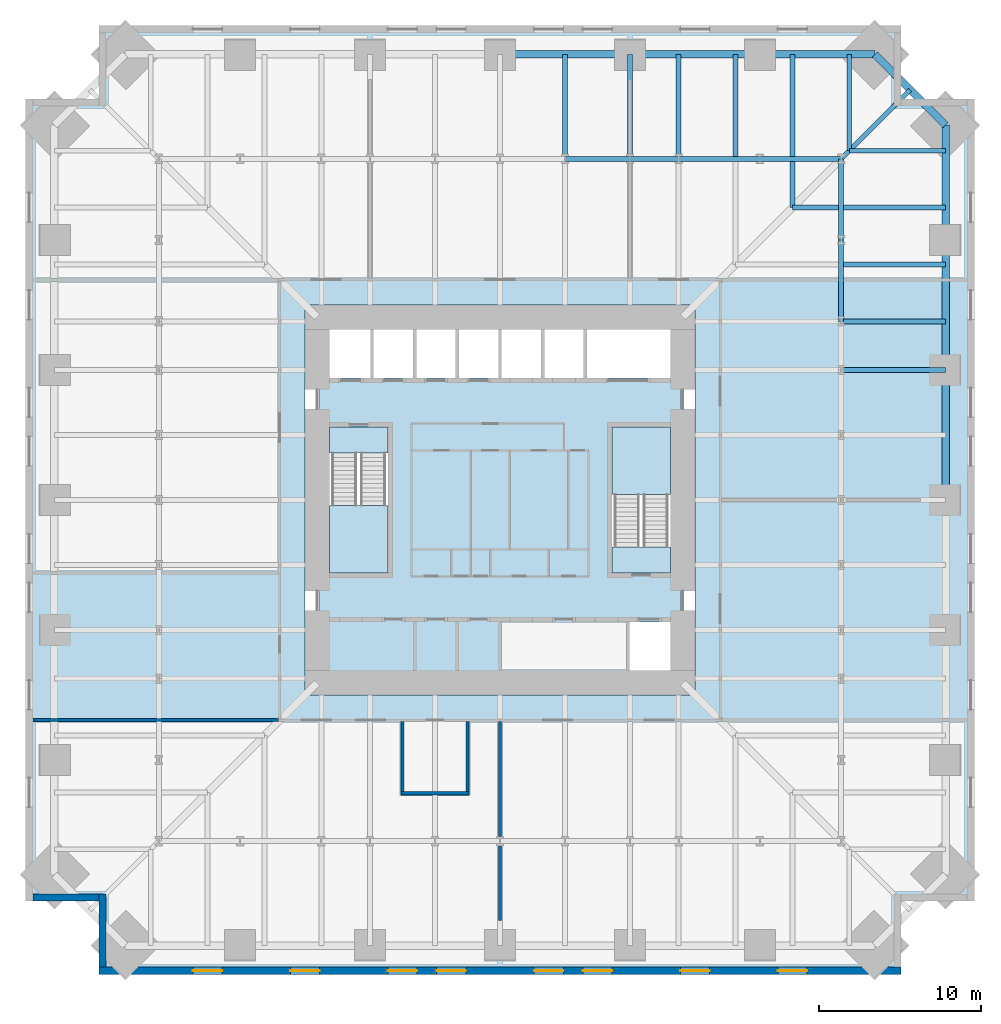
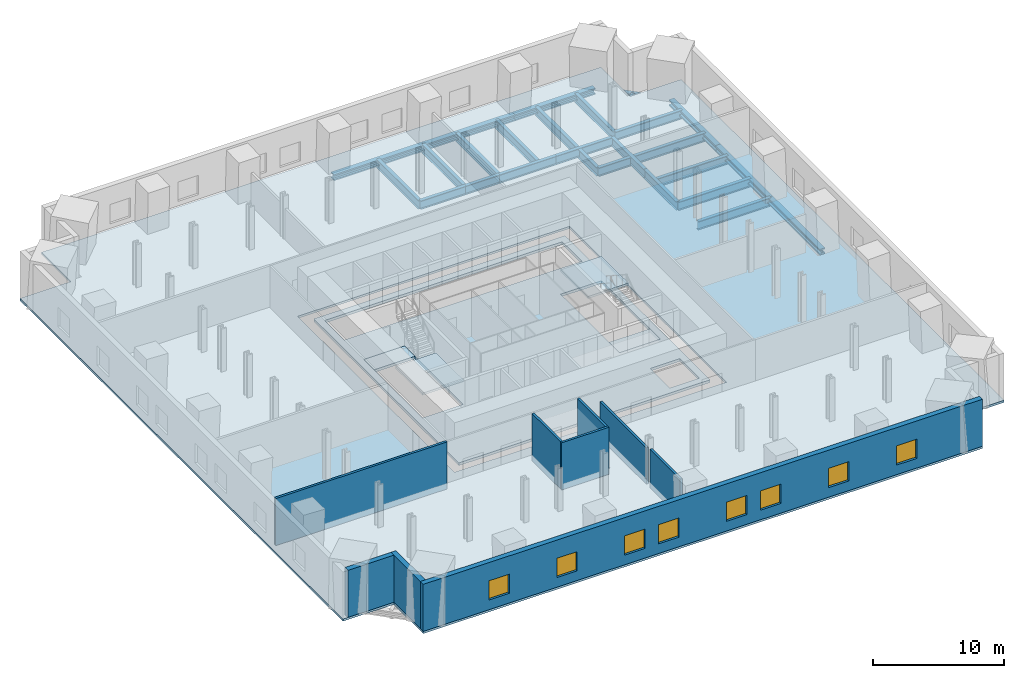
# One storey, part 3 of 8: 21 beams, 9 walls, 8 windows, 6 members, 6 slabs, 8 openings, 2 elements without a shape of their own.
"""IFC4 building model written with IfcOpenShell, lengths in metres."""

import ifcopenshell
import ifcopenshell.guid

model = None  # the IFC model being written
_history = None  # IfcOwnerHistory: only IFC2X3 demands one
_inside = {}  # id of a spatial element -> (the spatial element, [elements in it])
_under = {}  # id of a project, library or spatial element -> (it, [spatial elements below it])
_declared = {}  # id of a project -> (the project, [libraries it declares])
_typed = {}  # id of a type object -> (the type object, [elements of that type])
_made_of = {}  # id of a material, layer set ... -> (it, [elements and type objects made of it])


def new_model(schema):
    """Start an empty IFC model of exactly this schema.

    Asked for "IFC4X3", IfcOpenShell would pick the latest addendum, in which some entities
    have other attributes; the version numbers below select the first issue.
    IFC2X3 requires an IfcOwnerHistory on every rooted entity: one is made here for all.
    """
    global model, _history
    if schema == "IFC4X3":
        model = ifcopenshell.file(schema_version=(4, 3, 0, 0))
    else:
        model = ifcopenshell.file(schema=schema)
    _inside.clear()
    _under.clear()
    _declared.clear()
    _typed.clear()
    _made_of.clear()
    _history = None
    if model.schema == "IFC2X3":
        org = make("IfcOrganization", Name="unknown")
        user = make(
            "IfcPersonAndOrganization",
            ThePerson=make("IfcPerson", FamilyName="unknown"),
            TheOrganization=org,
        )
        app = make(
            "IfcApplication",
            ApplicationDeveloper=org,
            Version="unknown",
            ApplicationFullName="unknown",
            ApplicationIdentifier="unknown",
        )
        _history = make(
            "IfcOwnerHistory",
            OwningUser=user,
            OwningApplication=app,
            ChangeAction="ADDED",
            CreationDate=0,
        )
    return model


def make(cls, **values):
    """One entity of the class cls with the attributes given. An attribute that is None is left unset."""
    return model.create_entity(
        cls, **{name: value for name, value in values.items() if value is not None}
    )


def rooted(cls, **values):
    """An entity with a GlobalId (a new one), such as an element, a storey or a relation."""
    return make(cls, GlobalId=ifcopenshell.guid.new(), OwnerHistory=_history, **values)


def si_unit(unit_type, name, prefix=None):
    """IfcSIUnit, for example si_unit("LENGTHUNIT", "METRE", prefix="MILLI")."""
    return make("IfcSIUnit", UnitType=unit_type, Prefix=prefix, Name=name)


def assignment(units):
    """IfcUnitAssignment: the units of a project."""
    return None if units is None else make("IfcUnitAssignment", Units=units)


def point(xyz):
    """IfcCartesianPoint."""
    return None if xyz is None else make("IfcCartesianPoint", Coordinates=xyz)


def direction(xyz):
    """IfcDirection."""
    return None if xyz is None else make("IfcDirection", DirectionRatios=xyz)


def frame(location, z_axis=None, x_axis=None):
    """IfcAxis2Placement3D, a coordinate frame: its origin and axes. An axis left out is left unset."""
    return make(
        "IfcAxis2Placement3D",
        Location=point(location),
        Axis=direction(z_axis),
        RefDirection=direction(x_axis),
    )


def frame_2d(location, x_axis=None):
    """IfcAxis2Placement2D, a coordinate frame in the plane: its origin and x axis."""
    return make(
        "IfcAxis2Placement2D", Location=point(location), RefDirection=direction(x_axis)
    )


def origin():
    """The frame at (0, 0, 0) with its axes left unset."""
    return frame((0.0, 0.0, 0.0))


def origin_2d():
    """The frame at (0, 0) in the plane with its x axis left unset."""
    return frame_2d((0.0, 0.0))


def place(relative_to, where):
    """IfcLocalPlacement: puts the frame where relative to a parent placement (None: the world)."""
    return make(
        "IfcLocalPlacement", PlacementRelTo=relative_to, RelativePlacement=where
    )


def context(
    kind, dimensions, precision=None, world=None, true_north=None, identifier=None
):
    """IfcGeometricRepresentationContext, for example the 3D "Model" context."""
    return make(
        "IfcGeometricRepresentationContext",
        ContextIdentifier=identifier,
        ContextType=kind,
        CoordinateSpaceDimension=dimensions,
        Precision=precision,
        WorldCoordinateSystem=world,
        TrueNorth=true_north,
    )


def subcontext(parent, identifier, kind, view, scale=None):
    """IfcGeometricRepresentationSubContext, for example "Body" below "Model"."""
    return make(
        "IfcGeometricRepresentationSubContext",
        ContextIdentifier=identifier,
        ContextType=kind,
        ParentContext=parent,
        TargetScale=scale,
        TargetView=view,
    )


def project(units=None, contexts=None):
    """IfcProject with its units and contexts."""
    return rooted(
        "IfcProject",
        Name="project",
        RepresentationContexts=contexts,
        UnitsInContext=assignment(units),
    )


def spatial(cls, under=None, at=None, **own):
    """A site, building, storey or space (cls), placed at a placement, below another one or the project."""
    s = rooted(cls, ObjectPlacement=at, **own)
    if under is not None:
        _under.setdefault(under.id(), (under, []))[1].append(s)
    return s


def polyline(points):
    """IfcPolyline through the points."""
    return make("IfcPolyline", Points=[point(p) for p in points])


def profile(cls, at=None, kind="AREA", **sizes):
    """A parametric profile (cls). Its sizes go by their IFC names, for example OverallWidth=200.0."""
    return make(cls, ProfileType=kind, Position=at, **sizes)


def rectangle(**sizes):
    """IfcRectangleProfileDef."""
    return profile("IfcRectangleProfileDef", **sizes)


def i_section(**sizes):
    """IfcIShapeProfileDef."""
    return profile("IfcIShapeProfileDef", **sizes)


def outline(outer, holes=None, kind="AREA"):
    """IfcArbitraryClosedProfileDef: a profile drawn as a closed curve; with holes, ...WithVoids."""
    if holes is None:
        return make("IfcArbitraryClosedProfileDef", ProfileType=kind, OuterCurve=outer)
    return make(
        "IfcArbitraryProfileDefWithVoids",
        ProfileType=kind,
        OuterCurve=outer,
        InnerCurves=holes,
    )


def extrude(swept, where, along, depth):
    """IfcExtrudedAreaSolid: the profile swept, set in the frame where, extruded along a direction by depth."""
    return make(
        "IfcExtrudedAreaSolid",
        SweptArea=swept,
        Position=where,
        ExtrudedDirection=direction(along),
        Depth=depth,
    )


def shape(context_of_items, identifier, shape_type, items):
    """IfcShapeRepresentation: the items that make up one representation, for example the "Body"."""
    return make(
        "IfcShapeRepresentation",
        ContextOfItems=context_of_items,
        RepresentationIdentifier=identifier,
        RepresentationType=shape_type,
        Items=items,
    )


def material(Name=None, Category=None):
    """IfcMaterial."""
    return make("IfcMaterial", Name=Name, Category=Category)


def layer(
    of_material, thickness, ventilated=None, Name=None, Category=None, Priority=None
):
    """IfcMaterialLayer: one layer of a wall or slab, of a material (None: an air gap)."""
    return make(
        "IfcMaterialLayer",
        Material=of_material,
        LayerThickness=thickness,
        IsVentilated=ventilated,
        Name=Name,
        Category=Category,
        Priority=Priority,
    )


def layer_set(layers, Name=None):
    """IfcMaterialLayerSet."""
    return make("IfcMaterialLayerSet", MaterialLayers=layers, LayerSetName=Name)


def material_profile(
    of_material, cross_section, Name=None, Category=None, Priority=None
):
    """IfcMaterialProfile: a cross section and its material."""
    return make(
        "IfcMaterialProfile",
        Name=Name,
        Material=of_material,
        Profile=cross_section,
        Priority=Priority,
        Category=Category,
    )


def profile_set(profiles, Name=None, composite=None):
    """IfcMaterialProfileSet."""
    return make(
        "IfcMaterialProfileSet",
        Name=Name,
        MaterialProfiles=profiles,
        CompositeProfile=composite,
    )


def made_of(thing, what):
    """Note that an element or type object is made of a material, layer set ...; save() writes the relation."""
    if what is not None:
        _made_of.setdefault(what.id(), (what, []))[1].append(thing)
    return thing


def type_object(cls, material=None, **own):
    """A type object (cls), such as IfcWallType, which elements share."""
    return made_of(rooted(cls, **own), material)


def element(
    cls,
    number,
    at=None,
    inside=None,
    cuts=None,
    type_object=None,
    material=None,
    context=None,
    identifier="Body",
    shape_type=None,
    held_by="IfcProductDefinitionShape",
    body=None,
    shapes=None,
    **own,
):
    """One element of the class cls, such as IfcWall. Its Tag is "e" and its number.

    at: its placement. inside: the storey or other place that contains it. cuts: it is an
    opening in that element (IfcRelVoidsElement). A single representation is given by context,
    identifier, shape_type and body (its items); several are given by shapes. held_by: the class
    of the entity that holds the representations. save() writes the other relations.
    """
    e = rooted(cls, Tag="e%d" % number, ObjectPlacement=at, **own)
    if body is not None:
        shapes = [shape(context, identifier, shape_type, body)]
    if shapes is not None:
        e.Representation = make(held_by, Representations=shapes)
    if inside is not None:
        _inside.setdefault(inside.id(), (inside, []))[1].append(e)
    if cuts is not None:
        rooted(
            "IfcRelVoidsElement", RelatingBuildingElement=cuts, RelatedOpeningElement=e
        )
    if type_object is not None:
        _typed.setdefault(type_object.id(), (type_object, []))[1].append(e)
    return made_of(e, material)


def fill(opening, filler):
    """IfcRelFillsElement: the door or window that sits in an opening."""
    return rooted(
        "IfcRelFillsElement",
        RelatingOpeningElement=opening,
        RelatedBuildingElement=filler,
    )


def aggregate(whole, parts):
    """IfcRelAggregates: a whole, such as a stair, and the parts it consists of."""
    return rooted("IfcRelAggregates", RelatingObject=whole, RelatedObjects=parts)


def save(model, path):
    """Write the relations noted so far, then the file.

    IfcRelAggregates (storeys below a building ...), IfcRelContainedInSpatialStructure (elements
    in a storey), IfcRelDefinesByType, IfcRelAssociatesMaterial and IfcRelDeclares: one each for
    every whole, place, type object, material and project.
    """
    for whole, parts in _under.values():
        aggregate(whole, parts)
    for where, things in _inside.values():
        rooted(
            "IfcRelContainedInSpatialStructure",
            RelatedElements=things,
            RelatingStructure=where,
        )
    for kind, things in _typed.values():
        rooted("IfcRelDefinesByType", RelatedObjects=things, RelatingType=kind)
    for what, things in _made_of.values():
        rooted("IfcRelAssociatesMaterial", RelatedObjects=things, RelatingMaterial=what)
    for by, libraries in _declared.values():
        rooted("IfcRelDeclares", RelatingContext=by, RelatedDefinitions=libraries)
    model.write(path)


model = new_model("IFC4")

# Units and contexts
model_context = context("Model", 3, precision=1e-05, world=origin(), true_north=direction((0.0, 1.0)))
body_context = subcontext(model_context, "Body", "Model", "MODEL_VIEW")
ifc_project = project(units=[si_unit("LENGTHUNIT", "METRE"), si_unit("AREAUNIT", "SQUARE_METRE"), si_unit("VOLUMEUNIT", "CUBIC_METRE"), si_unit("PLANEANGLEUNIT", "RADIAN"), si_unit("MASSUNIT", "GRAM", prefix="KILO")], contexts=[model_context])

# Site, building, storey
site_placement = place(None, origin())
site = spatial("IfcSite", under=ifc_project, at=site_placement, CompositionType="ELEMENT")
building_placement = place(site_placement, origin())
building = spatial("IfcBuilding", under=site, at=building_placement, Name="Peilmerk Tower", CompositionType="ELEMENT")
storey_placement = place(building_placement, frame((0.0, 0.0, 86.0)))
storey = spatial("IfcBuildingStorey", under=building, at=storey_placement, Name="L16", CompositionType="ELEMENT", Elevation=86.0)

# Beams
ifc_material_1 = material(Name="Steel S460", Category="steel")
ifc_material_profile_1 = material_profile(ifc_material_1, i_section(OverallWidth=0.4541015625, OverallDepth=0.569091796875, WebThickness=0.077880859375, FlangeThickness=0.125, at=origin_2d()), Name="HD 400x1086")
ifc_profile_set_1 = profile_set([ifc_material_profile_1], Name="Steel S460")
beam_type_1 = type_object("IfcBeamType", Name="B17 HD 400x1086 edge beam", PredefinedType="SPANDREL", material=ifc_profile_set_1)
beam_1_placement = place(storey_placement, frame((23.0791015625, 27.428955078125, -0.484619140625), z_axis=(0.707106781187, -0.707106781187, 0.0), x_axis=(0.707106781187, 0.707106781187, 0.0)))
element("IfcBeam", 1, at=beam_1_placement, inside=storey, type_object=beam_type_1, Name="Notch beam L16", PredefinedType="SPANDREL", context=body_context, shape_type="SweptSolid", body=[
    extrude(i_section(OverallWidth=0.4541015625, OverallDepth=0.569091796875, WebThickness=0.077880859375, FlangeThickness=0.125, at=origin_2d()), origin(), (0.0, 0.0, 1.0), 6.151611328125),
])
ifc_material_profile_2 = material_profile(ifc_material_1, i_section(OverallWidth=0.302978515625, OverallDepth=0.81396484375, WebThickness=0.02099609375, FlangeThickness=0.0400390625, at=origin_2d()), Name="HEM 800")
ifc_profile_set_2 = profile_set([ifc_material_profile_2], Name="Steel S460")
beam_type_2 = type_object("IfcBeamType", Name="B26 HEM 800 floor beam", PredefinedType="BEAM", material=ifc_profile_set_2)
for number, where, z_axis, x_axis, name in (
    (2, (11.0, 21.0, -0.60693359375), (0.0, 1.0, 0.0), (-1.0, 0.0, 0.0), "Floor beam L16"),
    (3, (8.0, 21.0, -0.60693359375), (0.0, 1.0, 0.0), (-1.0, 0.0, 0.0), "Floor girder L16"),
    (4, (4.0, 21.0, -0.60693359375), (0.0, 1.0, 0.0), (-1.0, 0.0, 0.0), "Floor beam L16"),
):
    element("IfcBeam", number, at=place(storey_placement, frame(where, z_axis=z_axis, x_axis=x_axis)), inside=storey, type_object=beam_type_2, Name=name, PredefinedType="BEAM", context=body_context, shape_type="SweptSolid", body=[
        extrude(i_section(OverallWidth=0.302978515625, OverallDepth=0.81396484375, WebThickness=0.02099609375, FlangeThickness=0.0400390625, at=origin_2d()), origin(), (0.0, 0.0, 1.0), 6.428955078125),
    ])
for number, where, z_axis, x_axis, name in (
    (5, (21.0, 21.0, -0.60693359375), (-1.0, 0.0, 0.0), (0.0, -1.0, 0.0), "Ring girder L16"),
    (6, (16.0, 21.0, -0.60693359375), (-1.0, 0.0, 0.0), (0.0, -1.0, 0.0), "Ring girder L16"),
):
    element("IfcBeam", number, at=place(storey_placement, frame(where, z_axis=z_axis, x_axis=x_axis)), inside=storey, type_object=beam_type_2, Name=name, PredefinedType="BEAM", context=body_context, shape_type="SweptSolid", body=[
        extrude(i_section(OverallWidth=0.302978515625, OverallDepth=0.81396484375, WebThickness=0.02099609375, FlangeThickness=0.0400390625, at=origin_2d()), origin(), (0.0, 0.0, 1.0), 5.0),
    ])
beam_2_placement = place(storey_placement, frame((11.0, 21.0, -0.60693359375), z_axis=(-1.0, 0.0, 0.0), x_axis=(0.0, -1.0, 0.0)))
element("IfcBeam", 7, at=beam_2_placement, inside=storey, type_object=beam_type_2, Name="Ring girder L16", PredefinedType="BEAM", context=body_context, shape_type="SweptSolid", body=[
    extrude(i_section(OverallWidth=0.302978515625, OverallDepth=0.81396484375, WebThickness=0.02099609375, FlangeThickness=0.0400390625, at=origin_2d()), origin(), (0.0, 0.0, 1.0), 3.0),
])
beam_3_placement = place(storey_placement, frame((8.0, 21.0, -0.60693359375), z_axis=(-1.0, 0.0, 0.0), x_axis=(0.0, -1.0, 0.0)))
element("IfcBeam", 8, at=beam_3_placement, inside=storey, type_object=beam_type_2, Name="Ring girder L16", PredefinedType="BEAM", context=body_context, shape_type="SweptSolid", body=[
    extrude(i_section(OverallWidth=0.302978515625, OverallDepth=0.81396484375, WebThickness=0.02099609375, FlangeThickness=0.0400390625, at=origin_2d()), origin(), (0.0, 0.0, 1.0), 4.0),
])
for number, where, z_axis, x_axis, name in (
    (9, (21.0, 8.0, -0.60693359375), (1.0, 0.0, 0.0), (0.0, 1.0, 0.0), "Floor girder L16"),
    (10, (21.0, 11.0, -0.60693359375), (1.0, 0.0, 0.0), (0.0, 1.0, 0.0), "Floor beam L16"),
):
    element("IfcBeam", number, at=place(storey_placement, frame(where, z_axis=z_axis, x_axis=x_axis)), inside=storey, type_object=beam_type_2, Name=name, PredefinedType="BEAM", context=body_context, shape_type="SweptSolid", body=[
        extrude(i_section(OverallWidth=0.302978515625, OverallDepth=0.81396484375, WebThickness=0.02099609375, FlangeThickness=0.0400390625, at=origin_2d()), origin(), (0.0, 0.0, 1.0), 6.428955078125),
    ])
for number, where, z_axis, x_axis, name in (
    (11, (21.0, 11.0, -0.60693359375), (0.0, 1.0, 0.0), (-1.0, 0.0, 0.0), "Ring girder L16"),
    (12, (21.0, 16.0, -0.60693359375), (0.0, 1.0, 0.0), (-1.0, 0.0, 0.0), "Ring girder L16"),
):
    element("IfcBeam", number, at=place(storey_placement, frame(where, z_axis=z_axis, x_axis=x_axis)), inside=storey, type_object=beam_type_2, Name=name, PredefinedType="BEAM", context=body_context, shape_type="SweptSolid", body=[
        extrude(i_section(OverallWidth=0.302978515625, OverallDepth=0.81396484375, WebThickness=0.02099609375, FlangeThickness=0.0400390625, at=origin_2d()), origin(), (0.0, 0.0, 1.0), 5.0),
    ])
beam_4_placement = place(storey_placement, frame((21.0, 21.0, -0.60693359375), z_axis=(0.707106781187, 0.707106781187, 0.0), x_axis=(-0.707106781187, 0.707106781187, 0.0)))
element("IfcBeam", 13, at=beam_4_placement, inside=storey, type_object=beam_type_2, Name="Corner girder L16", PredefinedType="BEAM", context=body_context, shape_type="SweptSolid", body=[
    extrude(i_section(OverallWidth=0.302978515625, OverallDepth=0.81396484375, WebThickness=0.02099609375, FlangeThickness=0.0400390625, at=origin_2d()), origin(), (0.0, 0.0, 1.0), 6.016357421875),
])
for number, where, z_axis, x_axis, name in (
    (14, (14.5, 21.151611328125, -0.60693359375), (0.0, 1.0, 0.0), (-1.0, 0.0, 0.0), "Floor beam L16"),
    (15, (21.151611328125, 14.5, -0.60693359375), (1.0, 0.0, 0.0), (0.0, 1.0, 0.0), "Floor beam L16"),
):
    element("IfcBeam", number, at=place(storey_placement, frame(where, z_axis=z_axis, x_axis=x_axis)), inside=storey, type_object=beam_type_2, Name=name, PredefinedType="BEAM", context=body_context, shape_type="SweptSolid", body=[
        extrude(i_section(OverallWidth=0.302978515625, OverallDepth=0.81396484375, WebThickness=0.02099609375, FlangeThickness=0.0400390625, at=origin_2d()), origin(), (0.0, 0.0, 1.0), 6.27734375),
    ])
beam_5_placement = place(storey_placement, frame((18.0, 18.0, -0.60693359375), z_axis=(0.0, 1.0, 0.0), x_axis=(-1.0, 0.0, 0.0)))
element("IfcBeam", 16, at=beam_5_placement, inside=storey, type_object=beam_type_2, Name="Floor beam L16", PredefinedType="BEAM", context=body_context, shape_type="SweptSolid", body=[
    extrude(i_section(OverallWidth=0.302978515625, OverallDepth=0.81396484375, WebThickness=0.02099609375, FlangeThickness=0.0400390625, at=origin_2d()), origin(), (0.0, 0.0, 1.0), 2.848388671875),
])
beam_6_placement = place(storey_placement, frame((18.0, 21.151611328125, -0.60693359375), z_axis=(0.0, 1.0, 0.0), x_axis=(-1.0, 0.0, 0.0)))
element("IfcBeam", 17, at=beam_6_placement, inside=storey, type_object=beam_type_2, Name="Floor beam L16", PredefinedType="BEAM", context=body_context, shape_type="SweptSolid", body=[
    extrude(i_section(OverallWidth=0.302978515625, OverallDepth=0.81396484375, WebThickness=0.02099609375, FlangeThickness=0.0400390625, at=origin_2d()), origin(), (0.0, 0.0, 1.0), 6.27734375),
])
beam_7_placement = place(storey_placement, frame((18.0, 18.0, -0.60693359375), z_axis=(1.0, 0.0, 0.0), x_axis=(0.0, 1.0, 0.0)))
element("IfcBeam", 18, at=beam_7_placement, inside=storey, type_object=beam_type_2, Name="Floor beam L16", PredefinedType="BEAM", context=body_context, shape_type="SweptSolid", body=[
    extrude(i_section(OverallWidth=0.302978515625, OverallDepth=0.81396484375, WebThickness=0.02099609375, FlangeThickness=0.0400390625, at=origin_2d()), origin(), (0.0, 0.0, 1.0), 2.848388671875),
])
beam_8_placement = place(storey_placement, frame((21.151611328125, 18.0, -0.60693359375), z_axis=(1.0, 0.0, 0.0), x_axis=(0.0, 1.0, 0.0)))
element("IfcBeam", 19, at=beam_8_placement, inside=storey, type_object=beam_type_2, Name="Floor beam L16", PredefinedType="BEAM", context=body_context, shape_type="SweptSolid", body=[
    extrude(i_section(OverallWidth=0.302978515625, OverallDepth=0.81396484375, WebThickness=0.02099609375, FlangeThickness=0.0400390625, at=origin_2d()), origin(), (0.0, 0.0, 1.0), 6.27734375),
])
for number, where, z_axis, x_axis, name in (
    (20, (21.5, 21.5, -0.60693359375), (0.0, 1.0, 0.0), (-1.0, 0.0, 0.0), "Floor beam L16"),
    (21, (21.5, 21.5, -0.60693359375), (1.0, 0.0, 0.0), (0.0, 1.0, 0.0), "Floor beam L16"),
):
    element("IfcBeam", number, at=place(storey_placement, frame(where, z_axis=z_axis, x_axis=x_axis)), inside=storey, type_object=beam_type_2, Name=name, PredefinedType="BEAM", context=body_context, shape_type="SweptSolid", body=[
        extrude(i_section(OverallWidth=0.302978515625, OverallDepth=0.81396484375, WebThickness=0.02099609375, FlangeThickness=0.0400390625, at=origin_2d()), origin(), (0.0, 0.0, 1.0), 5.928955078125),
    ])

# Members
ifc_material_profile_3 = material_profile(ifc_material_1, i_section(OverallWidth=0.4541015625, OverallDepth=0.569091796875, WebThickness=0.077880859375, FlangeThickness=0.125, at=origin_2d()), Name="HD 400x1086")
ifc_profile_set_3 = profile_set([ifc_material_profile_3], Name="Steel S460")
member_type = type_object("IfcMemberType", Name="M1 HD 400x1086 belt truss chord", PredefinedType="CHORD", material=ifc_profile_set_3)
member_1_placement = place(storey_placement, frame((23.0791015625, 27.428955078125, -0.484619140625), z_axis=(-1.0, 0.0, 0.0), x_axis=(0.0, -1.0, 0.0)))
element("IfcMember", 22, at=member_1_placement, inside=storey, type_object=member_type, Name="Belt truss chord L16", PredefinedType="CHORD", context=body_context, shape_type="SweptSolid", body=[
    extrude(i_section(OverallWidth=0.4541015625, OverallDepth=0.569091796875, WebThickness=0.077880859375, FlangeThickness=0.125, at=origin_2d()), origin(), (0.0, 0.0, 1.0), 7.0791015625),
])
for number, where, z_axis, x_axis, name in (
    (23, (16.0, 27.428955078125, -0.484619140625), (-1.0, 0.0, 0.0), (0.0, -1.0, 0.0), "Belt truss chord L16"),
    (24, (8.0, 27.428955078125, -0.484619140625), (-1.0, 0.0, 0.0), (0.0, -1.0, 0.0), "Belt truss chord L16"),
    (25, (27.428955078125, 0.0, -0.484619140625), (0.0, 1.0, 0.0), (-1.0, 0.0, 0.0), "Belt truss chord L16"),
    (26, (27.428955078125, 8.0, -0.484619140625), (0.0, 1.0, 0.0), (-1.0, 0.0, 0.0), "Belt truss chord L16"),
):
    element("IfcMember", number, at=place(storey_placement, frame(where, z_axis=z_axis, x_axis=x_axis)), inside=storey, type_object=member_type, Name=name, PredefinedType="CHORD", context=body_context, shape_type="SweptSolid", body=[
        extrude(i_section(OverallWidth=0.4541015625, OverallDepth=0.569091796875, WebThickness=0.077880859375, FlangeThickness=0.125, at=origin_2d()), origin(), (0.0, 0.0, 1.0), 8.0),
    ])
member_2_placement = place(storey_placement, frame((27.428955078125, 16.0, -0.484619140625), z_axis=(0.0, 1.0, 0.0), x_axis=(-1.0, 0.0, 0.0)))
element("IfcMember", 27, at=member_2_placement, inside=storey, type_object=member_type, Name="Belt truss chord L16", PredefinedType="CHORD", context=body_context, shape_type="SweptSolid", body=[
    extrude(i_section(OverallWidth=0.4541015625, OverallDepth=0.569091796875, WebThickness=0.077880859375, FlangeThickness=0.125, at=origin_2d()), origin(), (0.0, 0.0, 1.0), 7.0791015625),
])

# Slabs
ifc_material_2 = material(Name="Concrete C55/67", Category="concrete")
ifc_layer_1 = layer(ifc_material_2, 0.25)
ifc_layer_set_1 = layer_set([ifc_layer_1], Name="Concrete C55/67")
slab_type_1 = type_object("IfcSlabType", Name="CS250 250 core floor slab", PredefinedType="FLOOR", material=ifc_layer_set_1)
slab_1_placement = place(storey_placement, frame((0.0, 0.0, -0.25)))
element("IfcSlab", 28, at=slab_1_placement, inside=storey, type_object=slab_type_1, Name="Core slab L16", PredefinedType="FLOOR", context=body_context, shape_type="SweptSolid", body=[
    extrude(outline(polyline([(-11.10009765625, 11.10009765625), (-11.10009765625, -11.10009765625), (11.10009765625, -11.10009765625), (11.10009765625, 11.10009765625), (-11.10009765625, 11.10009765625)]), holes=[polyline([(10.5, 7.5), (-10.5, 7.5), (-10.5, 10.5), (10.5, 10.5), (10.5, 7.5)]), polyline([(7.875, -10.5), (7.875, -7.5), (10.5, -7.5), (10.5, -10.5), (7.875, -10.5)]), polyline([(-10.5, 4.5), (-6.89990234375, 4.5), (-6.89990234375, -4.5), (-10.5, -4.5), (-10.5, 4.5)]), polyline([(10.5, 4.5), (10.5, -4.5), (6.89990234375, -4.5), (6.89990234375, 4.5), (10.5, 4.5)])]), origin(), (0.0, 0.0, 1.0), 0.25),
])
ifc_material_3 = material(Name="Concrete C35/45", Category="concrete")
ifc_layer_2 = layer(ifc_material_3, 0.199951171875)
ifc_layer_set_2 = layer_set([ifc_layer_2], Name="Concrete C35/45")
slab_type_2 = type_object("IfcSlabType", Name="FS200 200 composite floor slab", PredefinedType="FLOOR", material=ifc_layer_set_2)
slab_2_placement = place(storey_placement, frame((0.0, 0.0, -0.199951171875)))
element("IfcSlab", 29, at=slab_2_placement, inside=storey, type_object=slab_type_2, Name="Floor slab L16", PredefinedType="FLOOR", context=body_context, shape_type="SweptSolid", body=[
    extrude(outline(polyline([(-24.699951171875, -29.199951171875), (24.699951171875, -29.199951171875), (24.699951171875, -24.699951171875), (29.199951171875, -24.699951171875), (29.199951171875, 24.699951171875), (24.699951171875, 24.699951171875), (24.699951171875, 29.199951171875), (-24.699951171875, 29.199951171875), (-24.699951171875, 24.699951171875), (-29.199951171875, 24.699951171875), (-29.199951171875, -24.699951171875), (-24.699951171875, -24.699951171875), (-24.699951171875, -29.199951171875)]), holes=[polyline([(12.0, 12.0), (12.0, -12.0), (-12.0, -12.0), (-12.0, 12.0), (12.0, 12.0)])]), origin(), (0.0, 0.0, 1.0), 0.199951171875),
])

# Stair, slab
ifc_material_4 = material(Name="Precast concrete C45/55", Category="concrete")
stair_type_1 = type_object("IfcStairType", Name="ST1 26 risers of 176.9", PredefinedType="HALF_TURN_STAIR", material=ifc_material_4)
stair_1_placement = place(storey_placement, origin())
stair_1 = element("IfcStair", 30, at=stair_1_placement, inside=storey, type_object=stair_type_1, Name="Stair 1 L16 to L17", PredefinedType="HALF_TURN_STAIR")
ifc_layer_3 = layer(ifc_material_3, 0.199951171875)
ifc_layer_set_3 = layer_set([ifc_layer_3], Name="Concrete C35/45")
slab_type_3 = type_object("IfcSlabType", Name="SL1 200 concrete stair landing", PredefinedType="LANDING", material=ifc_layer_set_3)
slab_3_placement = place(storey_placement, frame((0.0, 0.0, 2.10009765625)))
slab_3 = element("IfcSlab", 31, at=slab_3_placement, type_object=slab_type_3, Name="ST1 landing 1", PredefinedType="LANDING", context=body_context, shape_type="SweptSolid", body=[
    extrude(outline(polyline([(-10.5, -4.5), (-6.89990234375, -4.5), (-6.89990234375, -0.340087890625), (-10.5, -0.340087890625), (-10.5, -4.5)])), origin(), (0.0, 0.0, 1.0), 0.199951171875),
])

stair_type_2 = type_object("IfcStairType", Name="ST2 26 risers of 176.9", PredefinedType="HALF_TURN_STAIR", material=ifc_material_4)
stair_2_placement = place(storey_placement, origin())
stair_2 = element("IfcStair", 32, at=stair_2_placement, inside=storey, type_object=stair_type_2, Name="Stair 2 L16 to L17", PredefinedType="HALF_TURN_STAIR")
slab_4_placement = place(storey_placement, frame((0.0, 0.0, 2.10009765625)))
slab_4 = element("IfcSlab", 33, at=slab_4_placement, type_object=slab_type_3, Name="ST2 landing 1", PredefinedType="LANDING", context=body_context, shape_type="SweptSolid", body=[
    extrude(outline(polyline([(6.89990234375, 0.340087890625), (10.5, 0.340087890625), (10.5, 4.5), (6.89990234375, 4.5), (6.89990234375, 0.340087890625)])), origin(), (0.0, 0.0, 1.0), 0.199951171875),
])

# Slab
ifc_layer_4 = layer(ifc_material_3, 0.25)
ifc_layer_set_4 = layer_set([ifc_layer_4], Name="Concrete C35/45")
slab_type_4 = type_object("IfcSlabType", Name="SL2 250 concrete floor landing", PredefinedType="LANDING", material=ifc_layer_set_4)
slab_5_placement = place(storey_placement, frame((0.0, 0.0, -0.25)))
slab_5 = element("IfcSlab", 34, at=slab_5_placement, type_object=slab_type_4, Name="ST1 floor landing", PredefinedType="LANDING", context=body_context, shape_type="SweptSolid", body=[
    extrude(outline(polyline([(-10.5, 2.89990234375), (-6.89990234375, 2.89990234375), (-6.89990234375, 4.5), (-10.5, 4.5), (-10.5, 2.89990234375)])), origin(), (0.0, 0.0, 1.0), 0.25),
])

aggregate(stair_1, [slab_3, slab_5])

slab_6_placement = place(storey_placement, frame((0.0, 0.0, -0.25)))
slab_6 = element("IfcSlab", 35, at=slab_6_placement, type_object=slab_type_4, Name="ST2 floor landing", PredefinedType="LANDING", context=body_context, shape_type="SweptSolid", body=[
    extrude(outline(polyline([(6.89990234375, -4.5), (10.5, -4.5), (10.5, -2.89990234375), (6.89990234375, -2.89990234375), (6.89990234375, -4.5)])), origin(), (0.0, 0.0, 1.0), 0.25),
])

aggregate(stair_2, [slab_4, slab_6])

# Wall, openings, windows
ifc_material_5 = material(Name="Precast concrete C45/55, board-marked finish", Category="concrete")
ifc_layer_5 = layer(ifc_material_5, 0.449951171875)
ifc_layer_set_5 = layer_set([ifc_layer_5], Name="Precast concrete C45/55, board-marked finish")
wall_type_1 = type_object("IfcWallType", Name="EW1 450 precast concrete facade wall, board-marked", PredefinedType="SOLIDWALL", material=ifc_layer_set_5)
wall_1_placement = place(storey_placement, frame((-24.699951171875, -28.97509765625, 0.0), z_axis=(0.0, 0.0, 1.0), x_axis=(1.0, 0.0, 0.0)))
wall_1 = element("IfcWall", 36, at=wall_1_placement, inside=storey, type_object=wall_type_1, Name="Facade wall S L16", PredefinedType="SOLIDWALL", context=body_context, shape_type="SweptSolid", body=[
    extrude(rectangle(XDim=49.39990234375, YDim=0.449951171875, at=frame_2d((24.699951171875, 0.0))), origin(), (0.0, 0.0, 1.0), 4.39990234375),
])
opening_1_placement = place(wall_1_placement, frame((5.800048828125, 0.0, 0.89990234375)))
opening_1 = element("IfcOpeningElement", 37, at=opening_1_placement, cuts=wall_1, Name="Opening W3", PredefinedType="OPENING", context=body_context, shape_type="SweptSolid", body=[
    extrude(rectangle(XDim=1.800048828125, YDim=1.800048828125, at=frame_2d((0.89990234375, 0.89990234375))), frame((0.0, 0.23486328125, 0.0), z_axis=(0.0, -1.0, 0.0), x_axis=(1.0, 0.0, 0.0)), (0.0, 0.0, 1.0), 0.469970703125),
])
opening_2_placement = place(wall_1_placement, frame((11.800048828125, 0.0, 0.89990234375)))
opening_2 = element("IfcOpeningElement", 38, at=opening_2_placement, cuts=wall_1, Name="Opening W3", PredefinedType="OPENING", context=body_context, shape_type="SweptSolid", body=[
    extrude(rectangle(XDim=1.800048828125, YDim=1.800048828125, at=frame_2d((0.89990234375, 0.89990234375))), frame((0.0, 0.23486328125, 0.0), z_axis=(0.0, -1.0, 0.0), x_axis=(1.0, 0.0, 0.0)), (0.0, 0.0, 1.0), 0.469970703125),
])
opening_3_placement = place(wall_1_placement, frame((17.800048828125, 0.0, 0.89990234375)))
opening_3 = element("IfcOpeningElement", 39, at=opening_3_placement, cuts=wall_1, Name="Opening W3", PredefinedType="OPENING", context=body_context, shape_type="SweptSolid", body=[
    extrude(rectangle(XDim=1.800048828125, YDim=1.800048828125, at=frame_2d((0.89990234375, 0.89990234375))), frame((0.0, 0.23486328125, 0.0), z_axis=(0.0, -1.0, 0.0), x_axis=(1.0, 0.0, 0.0)), (0.0, 0.0, 1.0), 0.469970703125),
])
opening_4_placement = place(wall_1_placement, frame((20.800048828125, 0.0, 0.89990234375)))
opening_4 = element("IfcOpeningElement", 40, at=opening_4_placement, cuts=wall_1, Name="Opening W3", PredefinedType="OPENING", context=body_context, shape_type="SweptSolid", body=[
    extrude(rectangle(XDim=1.800048828125, YDim=1.800048828125, at=frame_2d((0.89990234375, 0.89990234375))), frame((0.0, 0.23486328125, 0.0), z_axis=(0.0, -1.0, 0.0), x_axis=(1.0, 0.0, 0.0)), (0.0, 0.0, 1.0), 0.469970703125),
])
opening_5_placement = place(wall_1_placement, frame((26.800048828125, 0.0, 0.89990234375)))
opening_5 = element("IfcOpeningElement", 41, at=opening_5_placement, cuts=wall_1, Name="Opening W3", PredefinedType="OPENING", context=body_context, shape_type="SweptSolid", body=[
    extrude(rectangle(XDim=1.800048828125, YDim=1.800048828125, at=frame_2d((0.89990234375, 0.89990234375))), frame((0.0, 0.23486328125, 0.0), z_axis=(0.0, -1.0, 0.0), x_axis=(1.0, 0.0, 0.0)), (0.0, 0.0, 1.0), 0.469970703125),
])
opening_6_placement = place(wall_1_placement, frame((29.800048828125, 0.0, 0.89990234375)))
opening_6 = element("IfcOpeningElement", 42, at=opening_6_placement, cuts=wall_1, Name="Opening W3", PredefinedType="OPENING", context=body_context, shape_type="SweptSolid", body=[
    extrude(rectangle(XDim=1.800048828125, YDim=1.800048828125, at=frame_2d((0.89990234375, 0.89990234375))), frame((0.0, 0.23486328125, 0.0), z_axis=(0.0, -1.0, 0.0), x_axis=(1.0, 0.0, 0.0)), (0.0, 0.0, 1.0), 0.469970703125),
])
opening_7_placement = place(wall_1_placement, frame((35.800048828125, 0.0, 0.89990234375)))
opening_7 = element("IfcOpeningElement", 43, at=opening_7_placement, cuts=wall_1, Name="Opening W3", PredefinedType="OPENING", context=body_context, shape_type="SweptSolid", body=[
    extrude(rectangle(XDim=1.800048828125, YDim=1.800048828125, at=frame_2d((0.89990234375, 0.89990234375))), frame((0.0, 0.23486328125, 0.0), z_axis=(0.0, -1.0, 0.0), x_axis=(1.0, 0.0, 0.0)), (0.0, 0.0, 1.0), 0.469970703125),
])
opening_8_placement = place(wall_1_placement, frame((41.800048828125, 0.0, 0.89990234375)))
opening_8 = element("IfcOpeningElement", 44, at=opening_8_placement, cuts=wall_1, Name="Opening W3", PredefinedType="OPENING", context=body_context, shape_type="SweptSolid", body=[
    extrude(rectangle(XDim=1.800048828125, YDim=1.800048828125, at=frame_2d((0.89990234375, 0.89990234375))), frame((0.0, 0.23486328125, 0.0), z_axis=(0.0, -1.0, 0.0), x_axis=(1.0, 0.0, 0.0)), (0.0, 0.0, 1.0), 0.469970703125),
])
ifc_material_6 = material(Name="Aluminium frame, clear double glazing", Category="aluminium")
window_type = type_object("IfcWindowType", Name="W3 1800x1800 telecom floor window", PartitioningType="SINGLE_PANEL", PredefinedType="WINDOW", material=ifc_material_6)
window_1_placement = place(opening_1_placement, origin())
window_1 = element("IfcWindow", 45, at=window_1_placement, inside=storey, type_object=window_type, Name="Window W3 L16", OverallHeight=1.800048828125, OverallWidth=1.800048828125, PartitioningType="SINGLE_PANEL", PredefinedType="WINDOW", context=body_context, shape_type="SweptSolid", body=[
    extrude(rectangle(XDim=1.800048828125, YDim=1.800048828125, at=frame_2d((0.89990234375, 0.89990234375))), frame((0.0, 0.030029296875, 0.0), z_axis=(0.0, -1.0, 0.0), x_axis=(1.0, 0.0, 0.0)), (0.0, 0.0, 1.0), 0.06005859375),
])
fill(opening_1, window_1)
window_2_placement = place(opening_2_placement, origin())
window_2 = element("IfcWindow", 46, at=window_2_placement, inside=storey, type_object=window_type, Name="Window W3 L16", OverallHeight=1.800048828125, OverallWidth=1.800048828125, PartitioningType="SINGLE_PANEL", PredefinedType="WINDOW", context=body_context, shape_type="SweptSolid", body=[
    extrude(rectangle(XDim=1.800048828125, YDim=1.800048828125, at=frame_2d((0.89990234375, 0.89990234375))), frame((0.0, 0.030029296875, 0.0), z_axis=(0.0, -1.0, 0.0), x_axis=(1.0, 0.0, 0.0)), (0.0, 0.0, 1.0), 0.06005859375),
])
fill(opening_2, window_2)
window_3_placement = place(opening_3_placement, origin())
window_3 = element("IfcWindow", 47, at=window_3_placement, inside=storey, type_object=window_type, Name="Window W3 L16", OverallHeight=1.800048828125, OverallWidth=1.800048828125, PartitioningType="SINGLE_PANEL", PredefinedType="WINDOW", context=body_context, shape_type="SweptSolid", body=[
    extrude(rectangle(XDim=1.800048828125, YDim=1.800048828125, at=frame_2d((0.89990234375, 0.89990234375))), frame((0.0, 0.030029296875, 0.0), z_axis=(0.0, -1.0, 0.0), x_axis=(1.0, 0.0, 0.0)), (0.0, 0.0, 1.0), 0.06005859375),
])
fill(opening_3, window_3)
window_4_placement = place(opening_4_placement, origin())
window_4 = element("IfcWindow", 48, at=window_4_placement, inside=storey, type_object=window_type, Name="Window W3 L16", OverallHeight=1.800048828125, OverallWidth=1.800048828125, PartitioningType="SINGLE_PANEL", PredefinedType="WINDOW", context=body_context, shape_type="SweptSolid", body=[
    extrude(rectangle(XDim=1.800048828125, YDim=1.800048828125, at=frame_2d((0.89990234375, 0.89990234375))), frame((0.0, 0.030029296875, 0.0), z_axis=(0.0, -1.0, 0.0), x_axis=(1.0, 0.0, 0.0)), (0.0, 0.0, 1.0), 0.06005859375),
])
fill(opening_4, window_4)
window_5_placement = place(opening_5_placement, origin())
window_5 = element("IfcWindow", 49, at=window_5_placement, inside=storey, type_object=window_type, Name="Window W3 L16", OverallHeight=1.800048828125, OverallWidth=1.800048828125, PartitioningType="SINGLE_PANEL", PredefinedType="WINDOW", context=body_context, shape_type="SweptSolid", body=[
    extrude(rectangle(XDim=1.800048828125, YDim=1.800048828125, at=frame_2d((0.89990234375, 0.89990234375))), frame((0.0, 0.030029296875, 0.0), z_axis=(0.0, -1.0, 0.0), x_axis=(1.0, 0.0, 0.0)), (0.0, 0.0, 1.0), 0.06005859375),
])
fill(opening_5, window_5)
window_6_placement = place(opening_6_placement, origin())
window_6 = element("IfcWindow", 50, at=window_6_placement, inside=storey, type_object=window_type, Name="Window W3 L16", OverallHeight=1.800048828125, OverallWidth=1.800048828125, PartitioningType="SINGLE_PANEL", PredefinedType="WINDOW", context=body_context, shape_type="SweptSolid", body=[
    extrude(rectangle(XDim=1.800048828125, YDim=1.800048828125, at=frame_2d((0.89990234375, 0.89990234375))), frame((0.0, 0.030029296875, 0.0), z_axis=(0.0, -1.0, 0.0), x_axis=(1.0, 0.0, 0.0)), (0.0, 0.0, 1.0), 0.06005859375),
])
fill(opening_6, window_6)
window_7_placement = place(opening_7_placement, origin())
window_7 = element("IfcWindow", 51, at=window_7_placement, inside=storey, type_object=window_type, Name="Window W3 L16", OverallHeight=1.800048828125, OverallWidth=1.800048828125, PartitioningType="SINGLE_PANEL", PredefinedType="WINDOW", context=body_context, shape_type="SweptSolid", body=[
    extrude(rectangle(XDim=1.800048828125, YDim=1.800048828125, at=frame_2d((0.89990234375, 0.89990234375))), frame((0.0, 0.030029296875, 0.0), z_axis=(0.0, -1.0, 0.0), x_axis=(1.0, 0.0, 0.0)), (0.0, 0.0, 1.0), 0.06005859375),
])
fill(opening_7, window_7)
window_8_placement = place(opening_8_placement, origin())
window_8 = element("IfcWindow", 52, at=window_8_placement, inside=storey, type_object=window_type, Name="Window W3 L16", OverallHeight=1.800048828125, OverallWidth=1.800048828125, PartitioningType="SINGLE_PANEL", PredefinedType="WINDOW", context=body_context, shape_type="SweptSolid", body=[
    extrude(rectangle(XDim=1.800048828125, YDim=1.800048828125, at=frame_2d((0.89990234375, 0.89990234375))), frame((0.0, 0.030029296875, 0.0), z_axis=(0.0, -1.0, 0.0), x_axis=(1.0, 0.0, 0.0)), (0.0, 0.0, 1.0), 0.06005859375),
])
fill(opening_8, window_8)

# Walls
wall_2_placement = place(storey_placement, frame((-24.47509765625, -24.25, 0.0), z_axis=(0.0, 0.0, 1.0), x_axis=(0.0, -1.0, 0.0)))
element("IfcWall", 53, at=wall_2_placement, inside=storey, type_object=wall_type_1, Name="Facade wall SWA L16", PredefinedType="SOLIDWALL", context=body_context, shape_type="SweptSolid", body=[
    extrude(rectangle(XDim=4.5, YDim=0.449951171875, at=frame_2d((2.25, 0.0))), origin(), (0.0, 0.0, 1.0), 4.39990234375),
])
wall_3_placement = place(storey_placement, frame((-24.699951171875, -24.47509765625, 0.0), z_axis=(0.0, 0.0, 1.0), x_axis=(-1.0, 0.0, 0.0)))
element("IfcWall", 54, at=wall_3_placement, inside=storey, type_object=wall_type_1, Name="Facade wall SWB L16", PredefinedType="SOLIDWALL", context=body_context, shape_type="SweptSolid", body=[
    extrude(rectangle(XDim=4.050048828125, YDim=0.449951171875, at=frame_2d((2.02490234375, 0.0))), origin(), (0.0, 0.0, 1.0), 4.39990234375),
])
ifc_material_7 = material(Name="Calcium silicate block", Category="masonry")
ifc_layer_6 = layer(ifc_material_7, 0.199951171875)
ifc_layer_set_6 = layer_set([ifc_layer_6], Name="Calcium silicate block")
wall_type_2 = type_object("IfcWallType", Name="IW2 200 room separating wall, EI 120", PredefinedType="PARTITIONING", material=ifc_layer_set_6)
wall_4_placement = place(storey_placement, frame((-13.625, -13.550048828125, 0.0), z_axis=(0.0, 0.0, 1.0), x_axis=(-1.0, 0.0, 0.0)))
element("IfcWall", 55, at=wall_4_placement, inside=storey, type_object=wall_type_2, Name="Room separating wall SW L16", PredefinedType="PARTITIONING", context=body_context, shape_type="SweptSolid", body=[
    extrude(rectangle(XDim=15.125, YDim=0.199951171875, at=frame_2d((7.5625, 0.0))), origin(), (0.0, 0.0, 1.0), 4.39990234375),
])
wall_5_placement = place(storey_placement, frame((0.0, -13.625, 0.0), z_axis=(0.0, 0.0, 1.0), x_axis=(0.0, -1.0, 0.0)))
element("IfcWall", 56, at=wall_5_placement, inside=storey, type_object=wall_type_2, Name="Room separating wall S1 L16", PredefinedType="PARTITIONING", context=body_context, shape_type="SweptSolid", body=[
    extrude(rectangle(XDim=7.090576171875, YDim=0.199951171875, at=frame_2d((3.54541015625, 0.0))), origin(), (0.0, 0.0, 1.0), 3.39208984375),
])
wall_6_placement = place(storey_placement, frame((0.0, -21.284423828125, 0.0), z_axis=(0.0, 0.0, 1.0), x_axis=(0.0, -1.0, 0.0)))
element("IfcWall", 57, at=wall_6_placement, inside=storey, type_object=wall_type_2, Name="Room separating wall S1b L16", PredefinedType="PARTITIONING", context=body_context, shape_type="SweptSolid", body=[
    extrude(rectangle(XDim=4.61572265625, YDim=0.199951171875, at=frame_2d((2.307861328125, 0.0))), origin(), (0.0, 0.0, 1.0), 3.610107421875),
])
wall_7_placement = place(storey_placement, frame((-6.10009765625, -18.050048828125, 0.0), z_axis=(0.0, 0.0, 1.0), x_axis=(1.0, 0.0, 0.0)))
element("IfcWall", 58, at=wall_7_placement, inside=storey, type_object=wall_type_2, Name="Room separating wall Operations office L16", PredefinedType="PARTITIONING", context=body_context, shape_type="SweptSolid", body=[
    extrude(rectangle(XDim=4.2001953125, YDim=0.199951171875, at=frame_2d((2.10009765625, 0.0))), origin(), (0.0, 0.0, 1.0), 4.39990234375),
])
for number, where, z_axis, x_axis, name in (
    (59, (-6.0, -13.625, 0.0), (0.0, 0.0, 1.0), (0.0, -1.0, 0.0), "Room separating wall Operations office L16"),
    (60, (-2.0, -13.625, 0.0), (0.0, 0.0, 1.0), (0.0, -1.0, 0.0), "Room separating wall Operations office L16"),
):
    element("IfcWall", number, at=place(storey_placement, frame(where, z_axis=z_axis, x_axis=x_axis)), inside=storey, type_object=wall_type_2, Name=name, PredefinedType="PARTITIONING", context=body_context, shape_type="SweptSolid", body=[
        extrude(rectangle(XDim=4.324951171875, YDim=0.199951171875, at=frame_2d((2.16259765625, 0.0))), origin(), (0.0, 0.0, 1.0), 4.39990234375),
    ])

save(model, "model.ifc")
